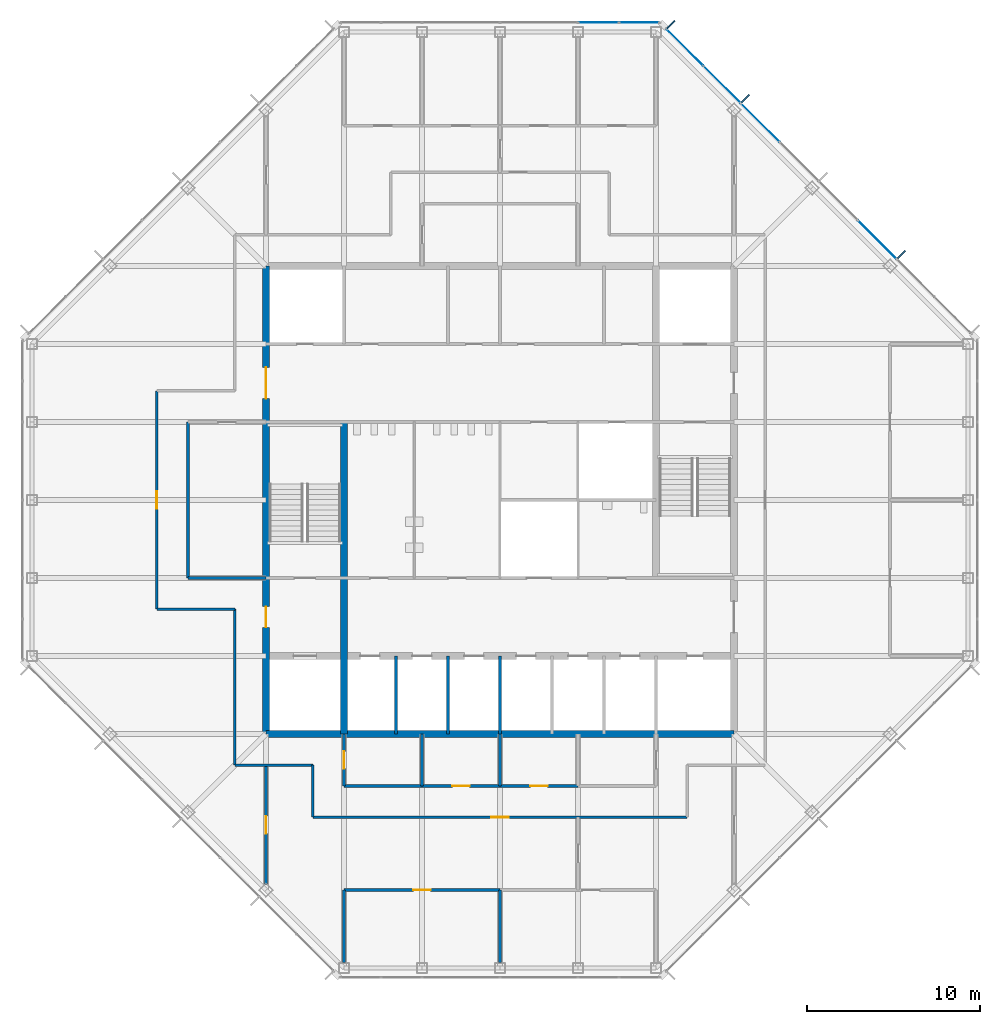
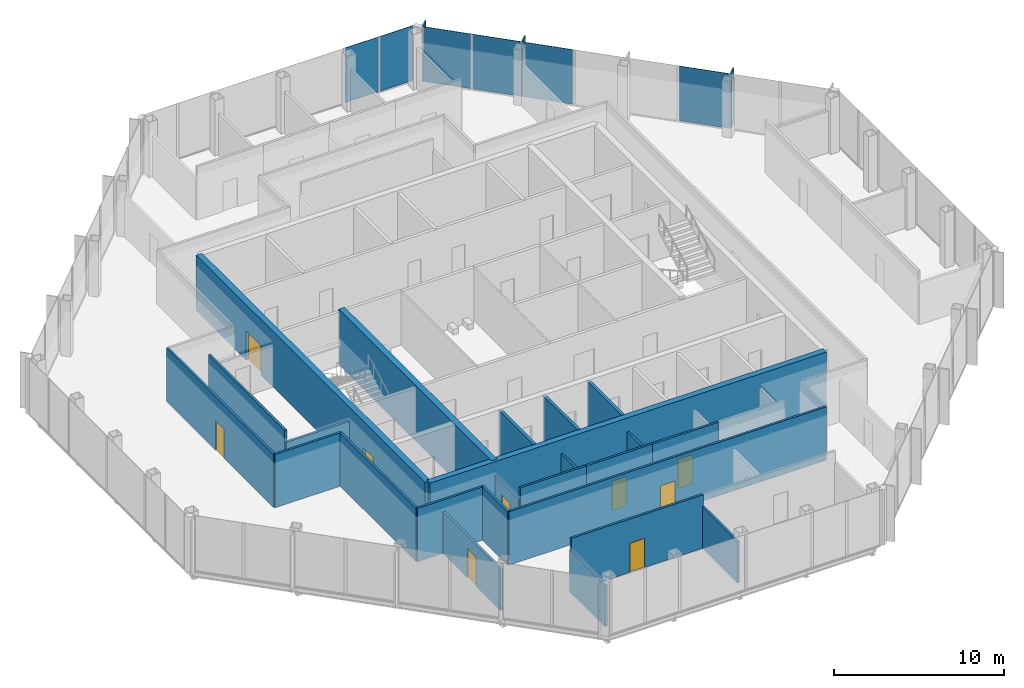
# One storey, part 9 of 14: 24 walls, 9 doors, 9 plates, 9 openings, 2 elements without a shape of their own.
"""IFC4 building model written with IfcOpenShell, lengths in metres."""

from ifc_helpers import new_model, si_unit, direction, frame, frame_2d, origin, origin_2d, place, context, subcontext, project, spatial, rectangle, extrude, material, layer, layer_set, type_object, element, fill, aggregate, save


model = new_model("IFC4")

# Units and contexts
model_context = context("Model", 3, precision=1e-05, world=origin(), true_north=direction((0.0, 1.0)))
body_context = subcontext(model_context, "Body", "Model", "MODEL_VIEW")
ifc_project = project(units=[si_unit("LENGTHUNIT", "METRE"), si_unit("AREAUNIT", "SQUARE_METRE"), si_unit("VOLUMEUNIT", "CUBIC_METRE"), si_unit("PLANEANGLEUNIT", "RADIAN"), si_unit("MASSUNIT", "GRAM", prefix="KILO")], contexts=[model_context])

# Site, building, storey
site_placement = place(None, origin())
site = spatial("IfcSite", under=ifc_project, at=site_placement, CompositionType="ELEMENT")
building_placement = place(site_placement, origin())
building = spatial("IfcBuilding", under=site, at=building_placement, Name="Corais Broadcast Tower", CompositionType="ELEMENT")
storey_placement = place(building_placement, frame((0.0, 0.0, 278.60009765625)))
storey = spatial("IfcBuildingStorey", under=building, at=storey_placement, Name="L65", CompositionType="ELEMENT", Elevation=278.60009765625)

# Curtain wall, plate
ifc_material_1 = material(Name="Aluminium and glass", Category="aluminium")
curtain_wall_type = type_object("IfcCurtainWallType", Name="Unitised fritted curtain wall CW3", PredefinedType="NOTDEFINED", material=ifc_material_1)
curtain_wall_1_placement = place(storey_placement, origin())
curtain_wall_1 = element("IfcCurtainWall", 1, at=curtain_wall_1_placement, inside=storey, type_object=curtain_wall_type, Name="CW3 curtain wall L65 4", PredefinedType="NOTDEFINED")
ifc_material_2 = material(Name="Ceramic-fritted laminated glass", Category="glass")
ifc_layer_1 = layer(ifc_material_2, 0.02587890625)
ifc_layer_set_1 = layer_set([ifc_layer_1], Name="Ceramic-fritted laminated glass")
plate_type_1 = type_object("IfcPlateType", Name="Fritted glass panel CW3", PredefinedType="CURTAIN_PANEL", material=ifc_layer_set_1)
plate_1_placement = place(storey_placement, frame((32.681884765625, 54.550048828125, 0.06494140625), z_axis=(0.0, 0.0, 1.0), x_axis=(1.0, 0.0, 0.0)))
plate_1 = element("IfcPlate", 2, at=plate_1_placement, type_object=plate_type_1, Name="CW3 panel 5", PredefinedType="CURTAIN_PANEL", context=body_context, shape_type="SweptSolid", body=[
    extrude(rectangle(XDim=2.298828125, YDim=0.02587890625, at=origin_2d()), origin(), (0.0, 0.0, 1.0), 3.93505859375),
])

# Curtain wall, plates
curtain_wall_2_placement = place(storey_placement, origin())
curtain_wall_2 = element("IfcCurtainWall", 3, at=curtain_wall_2_placement, inside=storey, type_object=curtain_wall_type, Name="CW3 curtain wall L65 5", PredefinedType="NOTDEFINED")
plate_2_placement = place(storey_placement, frame((37.669677734375, 53.108154296875, 0.06494140625), z_axis=(0.0, 0.0, 1.0), x_axis=(0.707106781187, -0.707106781187, 0.0)))
plate_2 = element("IfcPlate", 4, at=plate_2_placement, type_object=plate_type_1, Name="CW3 panel 1", PredefinedType="CURTAIN_PANEL", context=body_context, shape_type="SweptSolid", body=[
    extrude(rectangle(XDim=2.9482421875, YDim=0.02587890625, at=origin_2d()), origin(), (0.0, 0.0, 1.0), 3.93505859375),
])
plate_3_placement = place(storey_placement, frame((42.013916015625, 48.763916015625, 0.06494140625), z_axis=(0.0, 0.0, 1.0), x_axis=(0.707106781187, -0.707106781187, 0.0)))
plate_3 = element("IfcPlate", 5, at=plate_3_placement, type_object=plate_type_1, Name="CW3 panel 3", PredefinedType="CURTAIN_PANEL", context=body_context, shape_type="SweptSolid", body=[
    extrude(rectangle(XDim=3.116943359375, YDim=0.02587890625, at=origin_2d()), origin(), (0.0, 0.0, 1.0), 3.93505859375),
])

# Plate
ifc_material_3 = material(Name="Clear laminated glass", Category="glass")
ifc_layer_2 = layer(ifc_material_3, 0.030029296875)
ifc_layer_set_2 = layer_set([ifc_layer_2], Name="Clear laminated glass")
plate_type_2 = type_object("IfcPlateType", Name="Operable glass panel CW3", PredefinedType="CURTAIN_PANEL", material=ifc_layer_set_2)
plate_4_placement = place(storey_placement, frame((35.029541015625, 54.550048828125, 0.06494140625), z_axis=(0.0, 0.0, 1.0), x_axis=(1.0, 0.0, 0.0)))
plate_4 = element("IfcPlate", 6, at=plate_4_placement, type_object=plate_type_2, Name="CW3 operable panel 6", PredefinedType="CURTAIN_PANEL", context=body_context, shape_type="SweptSolid", body=[
    extrude(rectangle(XDim=2.266357421875, YDim=0.030029296875, at=origin_2d()), origin(), (0.0, 0.0, 1.0), 3.93505859375),
])

aggregate(curtain_wall_1, [plate_1, plate_4])

plate_5_placement = place(storey_placement, frame((39.81201171875, 50.9658203125, 0.06494140625), z_axis=(0.0, 0.0, 1.0), x_axis=(0.707106781187, -0.707106781187, 0.0)))
plate_5 = element("IfcPlate", 7, at=plate_5_placement, type_object=plate_type_2, Name="CW3 operable panel 2", PredefinedType="CURTAIN_PANEL", context=body_context, shape_type="SweptSolid", body=[
    extrude(rectangle(XDim=2.98095703125, YDim=0.030029296875, at=origin_2d()), origin(), (0.0, 0.0, 1.0), 3.93505859375),
])

plate_6_placement = place(storey_placement, frame((48.763916015625, 42.013916015625, 0.06494140625), z_axis=(0.0, 0.0, 1.0), x_axis=(0.707106781187, -0.707106781187, 0.0)))
plate_6 = element("IfcPlate", 8, at=plate_6_placement, type_object=plate_type_2, Name="CW3 operable panel 6", PredefinedType="CURTAIN_PANEL", context=body_context, shape_type="SweptSolid", body=[
    extrude(rectangle(XDim=3.116943359375, YDim=0.030029296875, at=origin_2d()), origin(), (0.0, 0.0, 1.0), 3.93505859375),
])

aggregate(curtain_wall_2, [plate_2, plate_5, plate_3, plate_6])

# Plates
ifc_material_4 = material(Name="Granite stone cladding", Category="masonry")
ifc_layer_3 = layer(ifc_material_4, 0.080078125)
ifc_layer_set_3 = layer_set([ifc_layer_3], Name="Granite stone cladding")
plate_type_3 = type_object("IfcPlateType", Name="Stone screen fin 80x600", PredefinedType="USERDEFINED", material=ifc_layer_set_3)
for number, where, z_axis, x_axis, name in (
    (9, (36.870849609375, 54.43994140625, 0.0), (0.0, 0.0, 1.0), (0.707106781187, -0.707106781187, 0.0), "SF1 stone screen fin L65"),
    (10, (41.155517578125, 50.155517578125, 0.0), (0.0, 0.0, 1.0), (0.707106781187, -0.707106781187, 0.0), "SF1 stone screen fin L65"),
    (11, (50.155517578125, 41.155517578125, 0.0), (0.0, 0.0, 1.0), (0.707106781187, -0.707106781187, 0.0), "SF1 stone screen fin L65"),
):
    element("IfcPlate", number, at=place(storey_placement, frame(where, z_axis=z_axis, x_axis=x_axis)), inside=storey, type_object=plate_type_3, Name=name, ObjectType="STONE SCREEN FIN", PredefinedType="USERDEFINED", context=body_context, shape_type="SweptSolid", body=[
        extrude(rectangle(XDim=0.080078125, YDim=0.60009765625, at=origin_2d()), origin(), (0.0, 0.0, 1.0), 4.0),
    ])

# Wall
ifc_material_5 = material(Name="Concrete C50/60", Category="concrete")
ifc_layer_4 = layer(ifc_material_5, 0.39990234375)
ifc_layer_set_4 = layer_set([ifc_layer_4], Name="Concrete C50/60")
wall_type_1 = type_object("IfcWallType", Name="Core wall 400", PredefinedType="SHEAR", material=ifc_layer_set_4)
wall_1_placement = place(storey_placement, frame((13.5, 13.5, 0.0), z_axis=(0.0, 0.0, 1.0), x_axis=(1.0, 0.0, 0.0)))
element("IfcWall", 12, at=wall_1_placement, inside=storey, type_object=wall_type_1, Name="CR400 core wall S L65", PredefinedType="SHEAR", context=body_context, shape_type="SweptSolid", body=[
    extrude(rectangle(XDim=27.0, YDim=0.39990234375, at=frame_2d((13.5, 0.0))), origin(), (0.0, 0.0, 1.0), 4.0),
])

# Wall, openings, doors
wall_2_placement = place(storey_placement, frame((13.5, 40.5, 0.0), z_axis=(0.0, 0.0, 1.0), x_axis=(0.0, -1.0, 0.0)))
wall_2 = element("IfcWall", 13, at=wall_2_placement, inside=storey, type_object=wall_type_1, Name="CR400 core wall W L65", PredefinedType="SHEAR", context=body_context, shape_type="SweptSolid", body=[
    extrude(rectangle(XDim=27.0, YDim=0.39990234375, at=frame_2d((13.5, 0.0))), origin(), (0.0, 0.0, 1.0), 4.0),
])
opening_1_placement = place(wall_2_placement, frame((19.64990234375, 0.0, 0.0)))
opening_1 = element("IfcOpeningElement", 14, at=opening_1_placement, cuts=wall_2, Name="Opening FD1", PredefinedType="OPENING", context=body_context, shape_type="SweptSolid", body=[
    extrude(rectangle(XDim=1.199951171875, YDim=2.10009765625, at=frame_2d((0.60009765625, 1.050048828125))), frame((0.0, 0.2099609375, 0.0), z_axis=(0.0, -1.0, 0.0), x_axis=(1.0, 0.0, 0.0)), (0.0, 0.0, 1.0), 0.419921875),
])
opening_2_placement = place(wall_2_placement, frame((5.85009765625, 0.0, 0.0)))
opening_2 = element("IfcOpeningElement", 15, at=opening_2_placement, cuts=wall_2, Name="Opening FD2", PredefinedType="OPENING", context=body_context, shape_type="SweptSolid", body=[
    extrude(rectangle(XDim=1.800048828125, YDim=2.10009765625, at=frame_2d((0.89990234375, 1.050048828125))), frame((0.0, 0.2099609375, 0.0), z_axis=(0.0, -1.0, 0.0), x_axis=(1.0, 0.0, 0.0)), (0.0, 0.0, 1.0), 0.419921875),
])
ifc_material_6 = material(Name="Steel fire door", Category="steel")
door_type_1 = type_object("IfcDoorType", Name="Fire door 1200x2100", OperationType="SINGLE_SWING_LEFT", PredefinedType="DOOR", material=ifc_material_6)
door_1_placement = place(opening_1_placement, origin())
door_1 = element("IfcDoor", 16, at=door_1_placement, inside=storey, type_object=door_type_1, Name="FD1 fire lobby A door L65", OperationType="SINGLE_SWING_RIGHT", OverallHeight=2.10009765625, OverallWidth=1.199951171875, PredefinedType="DOOR", context=body_context, shape_type="SweptSolid", body=[
    extrude(rectangle(XDim=1.199951171875, YDim=2.10009765625, at=frame_2d((0.60009765625, 1.050048828125))), frame((0.0, 0.02490234375, 0.0), z_axis=(0.0, -1.0, 0.0), x_axis=(1.0, 0.0, 0.0)), (0.0, 0.0, 1.0), 0.050048828125),
])
fill(opening_1, door_1)
ifc_material_7 = material(Name="Steel fire door", Category="steel")
door_type_2 = type_object("IfcDoorType", Name="Fire door pair 1800x2100", OperationType="DOUBLE_DOOR_SINGLE_SWING", PredefinedType="DOOR", material=ifc_material_7)
door_2_placement = place(opening_2_placement, origin())
door_2 = element("IfcDoor", 17, at=door_2_placement, inside=storey, type_object=door_type_2, Name="FD2 lift lobby door L65", OperationType="SINGLE_SWING_LEFT", OverallHeight=2.10009765625, OverallWidth=1.800048828125, PredefinedType="DOOR", context=body_context, shape_type="SweptSolid", body=[
    extrude(rectangle(XDim=1.800048828125, YDim=2.10009765625, at=frame_2d((0.89990234375, 1.050048828125))), frame((0.0, 0.02490234375, 0.0), z_axis=(0.0, -1.0, 0.0), x_axis=(1.0, 0.0, 0.0)), (0.0, 0.0, 1.0), 0.050048828125),
])
fill(opening_2, door_2)

# Wall
wall_3_placement = place(storey_placement, frame((18.0, 13.5, 0.0), z_axis=(0.0, 0.0, 1.0), x_axis=(0.0, 1.0, 0.0)))
element("IfcWall", 18, at=wall_3_placement, inside=storey, type_object=wall_type_1, Name="CR400 core wall X18A L65", PredefinedType="SHEAR", context=body_context, shape_type="SweptSolid", body=[
    extrude(rectangle(XDim=18.0, YDim=0.39990234375, at=frame_2d((9.0, 0.0))), origin(), (0.0, 0.0, 1.0), 4.0),
])

# Wall, opening, door
ifc_material_8 = material(Name="Gypsum board on steel studs", Category="steel")
ifc_layer_5 = layer(ifc_material_8, 0.14990234375)
ifc_layer_set_5 = layer_set([ifc_layer_5], Name="Gypsum board on steel studs")
wall_type_2 = type_object("IfcWallType", Name="Partition 150", PredefinedType="PARTITIONING", material=ifc_layer_set_5)
wall_4_placement = place(storey_placement, frame((16.199951171875, 8.699951171875, 0.0), z_axis=(0.0, 0.0, 1.0), x_axis=(1.0, 0.0, 0.0)))
wall_4 = element("IfcWall", 19, at=wall_4_placement, inside=storey, type_object=wall_type_2, Name="IW3 corridor wall L65", PredefinedType="PARTITIONING", context=body_context, shape_type="SweptSolid", body=[
    extrude(rectangle(XDim=21.60009765625, YDim=0.14990234375, at=frame_2d((10.800048828125, 0.0))), origin(), (0.0, 0.0, 1.0), 3.83984375),
])
opening_3_placement = place(wall_4_placement, frame((10.300048828125, 0.0, 0.0)))
opening_3 = element("IfcOpeningElement", 20, at=opening_3_placement, cuts=wall_4, Name="Opening D1", PredefinedType="OPENING", context=body_context, shape_type="SweptSolid", body=[
    extrude(rectangle(XDim=1.0, YDim=2.10009765625, at=frame_2d((0.5, 1.050048828125))), frame((0.0, 0.0849609375, 0.0), z_axis=(0.0, -1.0, 0.0), x_axis=(1.0, 0.0, 0.0)), (0.0, 0.0, 1.0), 0.169921875),
])
ifc_material_9 = material(Name="Timber door", Category="wood")
door_type_3 = type_object("IfcDoorType", Name="Single door 1000x2100", OperationType="SINGLE_SWING_LEFT", PredefinedType="DOOR", material=ifc_material_9)
door_3_placement = place(opening_3_placement, origin())
door_3 = element("IfcDoor", 21, at=door_3_placement, inside=storey, type_object=door_type_3, Name="D1 workplace door L65", OperationType="SINGLE_SWING_LEFT", OverallHeight=2.10009765625, OverallWidth=1.0, PredefinedType="DOOR", context=body_context, shape_type="SweptSolid", body=[
    extrude(rectangle(XDim=1.0, YDim=2.10009765625, at=frame_2d((0.5, 1.050048828125))), frame((0.0, 0.02490234375, 0.0), z_axis=(0.0, -1.0, 0.0), x_axis=(1.0, 0.0, 0.0)), (0.0, 0.0, 1.0), 0.050048828125),
])
fill(opening_3, door_3)

wall_5_placement = place(storey_placement, frame((7.199951171875, 33.300048828125, 0.0), z_axis=(0.0, 0.0, 1.0), x_axis=(0.0, -1.0, 0.0)))
wall_5 = element("IfcWall", 22, at=wall_5_placement, inside=storey, type_object=wall_type_2, Name="IW3 corridor wall L65", PredefinedType="PARTITIONING", context=body_context, shape_type="SweptSolid", body=[
    extrude(rectangle(XDim=12.60009765625, YDim=0.14990234375, at=frame_2d((6.300048828125, 0.0))), origin(), (0.0, 0.0, 1.0), 3.83984375),
])
opening_4_placement = place(wall_5_placement, frame((5.800048828125, 0.0, 0.0)))
opening_4 = element("IfcOpeningElement", 23, at=opening_4_placement, cuts=wall_5, Name="Opening D1", PredefinedType="OPENING", context=body_context, shape_type="SweptSolid", body=[
    extrude(rectangle(XDim=1.0, YDim=2.10009765625, at=frame_2d((0.5, 1.050048828125))), frame((0.0, 0.0849609375, 0.0), z_axis=(0.0, -1.0, 0.0), x_axis=(1.0, 0.0, 0.0)), (0.0, 0.0, 1.0), 0.169921875),
])
door_4_placement = place(opening_4_placement, origin())
door_4 = element("IfcDoor", 24, at=door_4_placement, inside=storey, type_object=door_type_3, Name="D1 workplace door L65", OperationType="SINGLE_SWING_LEFT", OverallHeight=2.10009765625, OverallWidth=1.0, PredefinedType="DOOR", context=body_context, shape_type="SweptSolid", body=[
    extrude(rectangle(XDim=1.0, YDim=2.10009765625, at=frame_2d((0.5, 1.050048828125))), frame((0.0, 0.02490234375, 0.0), z_axis=(0.0, -1.0, 0.0), x_axis=(1.0, 0.0, 0.0)), (0.0, 0.0, 1.0), 0.050048828125),
])
fill(opening_4, door_4)

# Walls
wall_6_placement = place(storey_placement, frame((11.699951171875, 20.699951171875, 0.0), z_axis=(0.0, 0.0, 1.0), x_axis=(0.0, -1.0, 0.0)))
element("IfcWall", 25, at=wall_6_placement, inside=storey, type_object=wall_type_2, Name="IW3 corridor wall L65", PredefinedType="PARTITIONING", context=body_context, shape_type="SweptSolid", body=[
    extrude(rectangle(XDim=9.0, YDim=0.14990234375, at=frame_2d((4.5, 0.0))), origin(), (0.0, 0.0, 1.0), 3.83984375),
])
for number, where, z_axis, x_axis, name in (
    (26, (7.199951171875, 20.699951171875, 0.0), (0.0, 0.0, 1.0), (1.0, 0.0, 0.0), "IW3 corridor wall L65"),
    (27, (11.699951171875, 11.699951171875, 0.0), (0.0, 0.0, 1.0), (1.0, 0.0, 0.0), "IW3 corridor wall L65"),
):
    element("IfcWall", number, at=place(storey_placement, frame(where, z_axis=z_axis, x_axis=x_axis)), inside=storey, type_object=wall_type_2, Name=name, PredefinedType="PARTITIONING", context=body_context, shape_type="SweptSolid", body=[
        extrude(rectangle(XDim=4.5, YDim=0.14990234375, at=frame_2d((2.25, 0.0))), origin(), (0.0, 0.0, 1.0), 3.83984375),
    ])
wall_7_placement = place(storey_placement, frame((16.199951171875, 11.699951171875, 0.0), z_axis=(0.0, 0.0, 1.0), x_axis=(0.0, -1.0, 0.0)))
element("IfcWall", 28, at=wall_7_placement, inside=storey, type_object=wall_type_2, Name="IW3 corridor wall L65", PredefinedType="PARTITIONING", context=body_context, shape_type="SweptSolid", body=[
    extrude(rectangle(XDim=3.0, YDim=0.14990234375, at=frame_2d((1.5, 0.0))), origin(), (0.0, 0.0, 1.0), 3.83984375),
])
wall_8_placement = place(storey_placement, frame((27.0, 0.31005859375, 0.0), z_axis=(0.0, 0.0, 1.0), x_axis=(0.0, 1.0, 0.0)))
element("IfcWall", 29, at=wall_8_placement, inside=storey, type_object=wall_type_2, Name="IW3 partition L65", PredefinedType="PARTITIONING", context=body_context, shape_type="SweptSolid", body=[
    extrude(rectangle(XDim=4.18994140625, YDim=0.14990234375, at=frame_2d((2.094970703125, 0.0))), origin(), (0.0, 0.0, 1.0), 2.989013671875),
])

# Wall, opening, door
wall_9_placement = place(storey_placement, frame((27.0, 4.5, 0.0), z_axis=(0.0, 0.0, 1.0), x_axis=(-1.0, 0.0, 0.0)))
wall_9 = element("IfcWall", 30, at=wall_9_placement, inside=storey, type_object=wall_type_2, Name="IW3 partition L65", PredefinedType="PARTITIONING", context=body_context, shape_type="SweptSolid", body=[
    extrude(rectangle(XDim=9.0, YDim=0.14990234375, at=frame_2d((4.5, 0.0))), origin(), (0.0, 0.0, 1.0), 3.83984375),
])
opening_5_placement = place(wall_9_placement, frame((4.0, 0.0, 0.0)))
opening_5 = element("IfcOpeningElement", 31, at=opening_5_placement, cuts=wall_9, Name="Opening D1", PredefinedType="OPENING", context=body_context, shape_type="SweptSolid", body=[
    extrude(rectangle(XDim=1.0, YDim=2.10009765625, at=frame_2d((0.5, 1.050048828125))), frame((0.0, 0.0849609375, 0.0), z_axis=(0.0, -1.0, 0.0), x_axis=(1.0, 0.0, 0.0)), (0.0, 0.0, 1.0), 0.169921875),
])
door_5_placement = place(opening_5_placement, origin())
door_5 = element("IfcDoor", 32, at=door_5_placement, inside=storey, type_object=door_type_3, Name="D1 Director office door", OperationType="SINGLE_SWING_LEFT", OverallHeight=2.10009765625, OverallWidth=1.0, PredefinedType="DOOR", context=body_context, shape_type="SweptSolid", body=[
    extrude(rectangle(XDim=1.0, YDim=2.10009765625, at=frame_2d((0.5, 1.050048828125))), frame((0.0, 0.02490234375, 0.0), z_axis=(0.0, -1.0, 0.0), x_axis=(1.0, 0.0, 0.0)), (0.0, 0.0, 1.0), 0.050048828125),
])
fill(opening_5, door_5)

# Walls
wall_10_placement = place(storey_placement, frame((18.0, 4.5, 0.0), z_axis=(0.0, 0.0, 1.0), x_axis=(0.0, -1.0, 0.0)))
element("IfcWall", 33, at=wall_10_placement, inside=storey, type_object=wall_type_2, Name="IW3 partition L65", PredefinedType="PARTITIONING", context=body_context, shape_type="SweptSolid", body=[
    extrude(rectangle(XDim=4.18994140625, YDim=0.14990234375, at=frame_2d((2.094970703125, 0.0))), origin(), (0.0, 0.0, 1.0), 2.989013671875),
])
wall_11_placement = place(storey_placement, frame((9.0, 22.5, 0.0), z_axis=(0.0, 0.0, 1.0), x_axis=(1.0, 0.0, 0.0)))
element("IfcWall", 34, at=wall_11_placement, inside=storey, type_object=wall_type_2, Name="IW3 partition L65", PredefinedType="PARTITIONING", context=body_context, shape_type="SweptSolid", body=[
    extrude(rectangle(XDim=4.5, YDim=0.14990234375, at=frame_2d((2.25, 0.0))), origin(), (0.0, 0.0, 1.0), 2.989013671875),
])
wall_12_placement = place(storey_placement, frame((9.0, 31.5, 0.0), z_axis=(0.0, 0.0, 1.0), x_axis=(0.0, -1.0, 0.0)))
element("IfcWall", 35, at=wall_12_placement, inside=storey, type_object=wall_type_2, Name="IW3 partition L65", PredefinedType="PARTITIONING", context=body_context, shape_type="SweptSolid", body=[
    extrude(rectangle(XDim=9.0, YDim=0.14990234375, at=frame_2d((4.5, 0.0))), origin(), (0.0, 0.0, 1.0), 3.83984375),
])
wall_13_placement = place(storey_placement, frame((18.0, 10.5, 0.0), z_axis=(0.0, 0.0, 1.0), x_axis=(1.0, 0.0, 0.0)))
element("IfcWall", 36, at=wall_13_placement, inside=storey, type_object=wall_type_2, Name="IW3 partition L65", PredefinedType="PARTITIONING", context=body_context, shape_type="SweptSolid", body=[
    extrude(rectangle(XDim=4.5, YDim=0.14990234375, at=frame_2d((2.25, 0.0))), origin(), (0.0, 0.0, 1.0), 3.83984375),
])
wall_14_placement = place(storey_placement, frame((22.5, 10.5, 0.0), z_axis=(0.0, 0.0, 1.0), x_axis=(0.0, 1.0, 0.0)))
element("IfcWall", 37, at=wall_14_placement, inside=storey, type_object=wall_type_2, Name="IW3 partition L65", PredefinedType="PARTITIONING", context=body_context, shape_type="SweptSolid", body=[
    extrude(rectangle(XDim=3.0, YDim=0.14990234375, at=frame_2d((1.5, 0.0))), origin(), (0.0, 0.0, 1.0), 2.989013671875),
])

# Wall, opening, door
wall_15_placement = place(storey_placement, frame((18.0, 13.5, 0.0), z_axis=(0.0, 0.0, 1.0), x_axis=(0.0, -1.0, 0.0)))
wall_15 = element("IfcWall", 38, at=wall_15_placement, inside=storey, type_object=wall_type_2, Name="IW3 partition L65", PredefinedType="PARTITIONING", context=body_context, shape_type="SweptSolid", body=[
    extrude(rectangle(XDim=3.0, YDim=0.14990234375, at=frame_2d((1.5, 0.0))), origin(), (0.0, 0.0, 1.0), 2.989013671875),
])
opening_6_placement = place(wall_15_placement, frame((1.0, 0.0, 0.0)))
opening_6 = element("IfcOpeningElement", 39, at=opening_6_placement, cuts=wall_15, Name="Opening D1", PredefinedType="OPENING", context=body_context, shape_type="SweptSolid", body=[
    extrude(rectangle(XDim=1.0, YDim=2.10009765625, at=frame_2d((0.5, 1.050048828125))), frame((0.0, 0.0849609375, 0.0), z_axis=(0.0, -1.0, 0.0), x_axis=(1.0, 0.0, 0.0)), (0.0, 0.0, 1.0), 0.169921875),
])
door_6_placement = place(opening_6_placement, origin())
door_6 = element("IfcDoor", 40, at=door_6_placement, inside=storey, type_object=door_type_3, Name="D1 Quiet room door", OperationType="SINGLE_SWING_LEFT", OverallHeight=2.10009765625, OverallWidth=1.0, PredefinedType="DOOR", context=body_context, shape_type="SweptSolid", body=[
    extrude(rectangle(XDim=1.0, YDim=2.10009765625, at=frame_2d((0.5, 1.050048828125))), frame((0.0, 0.02490234375, 0.0), z_axis=(0.0, -1.0, 0.0), x_axis=(1.0, 0.0, 0.0)), (0.0, 0.0, 1.0), 0.050048828125),
])
fill(opening_6, door_6)

wall_16_placement = place(storey_placement, frame((22.5, 10.5, 0.0), z_axis=(0.0, 0.0, 1.0), x_axis=(1.0, 0.0, 0.0)))
wall_16 = element("IfcWall", 41, at=wall_16_placement, inside=storey, type_object=wall_type_2, Name="IW3 partition L65", PredefinedType="PARTITIONING", context=body_context, shape_type="SweptSolid", body=[
    extrude(rectangle(XDim=4.5, YDim=0.14990234375, at=frame_2d((2.25, 0.0))), origin(), (0.0, 0.0, 1.0), 3.83984375),
])
opening_7_placement = place(wall_16_placement, frame((1.75, 0.0, 0.0)))
opening_7 = element("IfcOpeningElement", 42, at=opening_7_placement, cuts=wall_16, Name="Opening D1", PredefinedType="OPENING", context=body_context, shape_type="SweptSolid", body=[
    extrude(rectangle(XDim=1.0, YDim=2.10009765625, at=frame_2d((0.5, 1.050048828125))), frame((0.0, 0.0849609375, 0.0), z_axis=(0.0, -1.0, 0.0), x_axis=(1.0, 0.0, 0.0)), (0.0, 0.0, 1.0), 0.169921875),
])
door_7_placement = place(opening_7_placement, origin())
door_7 = element("IfcDoor", 43, at=door_7_placement, inside=storey, type_object=door_type_3, Name="D1 Quiet room door", OperationType="SINGLE_SWING_LEFT", OverallHeight=2.10009765625, OverallWidth=1.0, PredefinedType="DOOR", context=body_context, shape_type="SweptSolid", body=[
    extrude(rectangle(XDim=1.0, YDim=2.10009765625, at=frame_2d((0.5, 1.050048828125))), frame((0.0, 0.02490234375, 0.0), z_axis=(0.0, -1.0, 0.0), x_axis=(1.0, 0.0, 0.0)), (0.0, 0.0, 1.0), 0.050048828125),
])
fill(opening_7, door_7)

# Wall
wall_17_placement = place(storey_placement, frame((27.0, 10.5, 0.0), z_axis=(0.0, 0.0, 1.0), x_axis=(0.0, 1.0, 0.0)))
element("IfcWall", 44, at=wall_17_placement, inside=storey, type_object=wall_type_2, Name="IW3 partition L65", PredefinedType="PARTITIONING", context=body_context, shape_type="SweptSolid", body=[
    extrude(rectangle(XDim=3.0, YDim=0.14990234375, at=frame_2d((1.5, 0.0))), origin(), (0.0, 0.0, 1.0), 2.989013671875),
])

# Wall, opening, door
wall_18_placement = place(storey_placement, frame((27.0, 10.5, 0.0), z_axis=(0.0, 0.0, 1.0), x_axis=(1.0, 0.0, 0.0)))
wall_18 = element("IfcWall", 45, at=wall_18_placement, inside=storey, type_object=wall_type_2, Name="IW3 partition L65", PredefinedType="PARTITIONING", context=body_context, shape_type="SweptSolid", body=[
    extrude(rectangle(XDim=4.5, YDim=0.14990234375, at=frame_2d((2.25, 0.0))), origin(), (0.0, 0.0, 1.0), 3.83984375),
])
opening_8_placement = place(wall_18_placement, frame((1.75, 0.0, 0.0)))
opening_8 = element("IfcOpeningElement", 46, at=opening_8_placement, cuts=wall_18, Name="Opening D1", PredefinedType="OPENING", context=body_context, shape_type="SweptSolid", body=[
    extrude(rectangle(XDim=1.0, YDim=2.10009765625, at=frame_2d((0.5, 1.050048828125))), frame((0.0, 0.0849609375, 0.0), z_axis=(0.0, -1.0, 0.0), x_axis=(1.0, 0.0, 0.0)), (0.0, 0.0, 1.0), 0.169921875),
])
door_8_placement = place(opening_8_placement, origin())
door_8 = element("IfcDoor", 47, at=door_8_placement, inside=storey, type_object=door_type_3, Name="D1 Quiet room door", OperationType="SINGLE_SWING_LEFT", OverallHeight=2.10009765625, OverallWidth=1.0, PredefinedType="DOOR", context=body_context, shape_type="SweptSolid", body=[
    extrude(rectangle(XDim=1.0, YDim=2.10009765625, at=frame_2d((0.5, 1.050048828125))), frame((0.0, 0.02490234375, 0.0), z_axis=(0.0, -1.0, 0.0), x_axis=(1.0, 0.0, 0.0)), (0.0, 0.0, 1.0), 0.050048828125),
])
fill(opening_8, door_8)

wall_19_placement = place(storey_placement, frame((13.5, 4.820068359375, 0.0), z_axis=(0.0, 0.0, 1.0), x_axis=(0.0, 1.0, 0.0)))
wall_19 = element("IfcWall", 48, at=wall_19_placement, inside=storey, type_object=wall_type_2, Name="IW3 partition L65", PredefinedType="PARTITIONING", context=body_context, shape_type="SweptSolid", body=[
    extrude(rectangle(XDim=6.8798828125, YDim=0.14990234375, at=frame_2d((3.43994140625, 0.0))), origin(), (0.0, 0.0, 1.0), 2.989013671875),
])
opening_9_placement = place(wall_19_placement, frame((2.93994140625, 0.0, 0.0)))
opening_9 = element("IfcOpeningElement", 49, at=opening_9_placement, cuts=wall_19, Name="Opening D1", PredefinedType="OPENING", context=body_context, shape_type="SweptSolid", body=[
    extrude(rectangle(XDim=1.0, YDim=2.10009765625, at=frame_2d((0.5, 1.050048828125))), frame((0.0, 0.0849609375, 0.0), z_axis=(0.0, -1.0, 0.0), x_axis=(1.0, 0.0, 0.0)), (0.0, 0.0, 1.0), 0.169921875),
])
door_9_placement = place(opening_9_placement, origin())
door_9 = element("IfcDoor", 50, at=door_9_placement, inside=storey, type_object=door_type_3, Name="D1 team room door L65", OperationType="SINGLE_SWING_LEFT", OverallHeight=2.10009765625, OverallWidth=1.0, PredefinedType="DOOR", context=body_context, shape_type="SweptSolid", body=[
    extrude(rectangle(XDim=1.0, YDim=2.10009765625, at=frame_2d((0.5, 1.050048828125))), frame((0.0, 0.02490234375, 0.0), z_axis=(0.0, -1.0, 0.0), x_axis=(1.0, 0.0, 0.0)), (0.0, 0.0, 1.0), 0.050048828125),
])
fill(opening_9, door_9)

# Walls
ifc_material_10 = material(Name="Concrete blockwork class A, grouted, two-hour", Category="masonry")
ifc_layer_6 = layer(ifc_material_10, 0.199951171875)
ifc_layer_set_6 = layer_set([ifc_layer_6], Name="Concrete blockwork class A, grouted, two-hour")
wall_type_3 = type_object("IfcWallType", Name="Shaft wall 200", PredefinedType="PARTITIONING", material=ifc_layer_set_6)
for number, where, z_axis, x_axis, name in (
    (51, (21.0, 13.5, 0.0), (0.0, 0.0, 1.0), (0.0, 1.0, 0.0), "IW1 shaft wall L65"),
    (52, (24.0, 13.5, 0.0), (0.0, 0.0, 1.0), (0.0, 1.0, 0.0), "IW1 shaft wall L65"),
    (53, (27.0, 13.5, 0.0), (0.0, 0.0, 1.0), (0.0, 1.0, 0.0), "IW1 shaft wall L65"),
):
    element("IfcWall", number, at=place(storey_placement, frame(where, z_axis=z_axis, x_axis=x_axis)), inside=storey, type_object=wall_type_3, Name=name, PredefinedType="PARTITIONING", context=body_context, shape_type="SweptSolid", body=[
        extrude(rectangle(XDim=4.5, YDim=0.199951171875, at=frame_2d((2.25, 0.0))), origin(), (0.0, 0.0, 1.0), 3.83984375),
    ])

save(model, "model.ifc")
